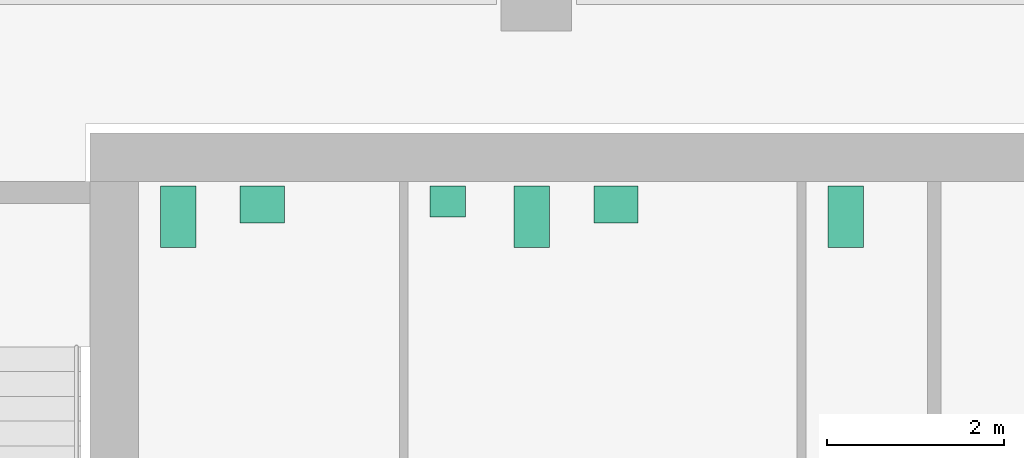
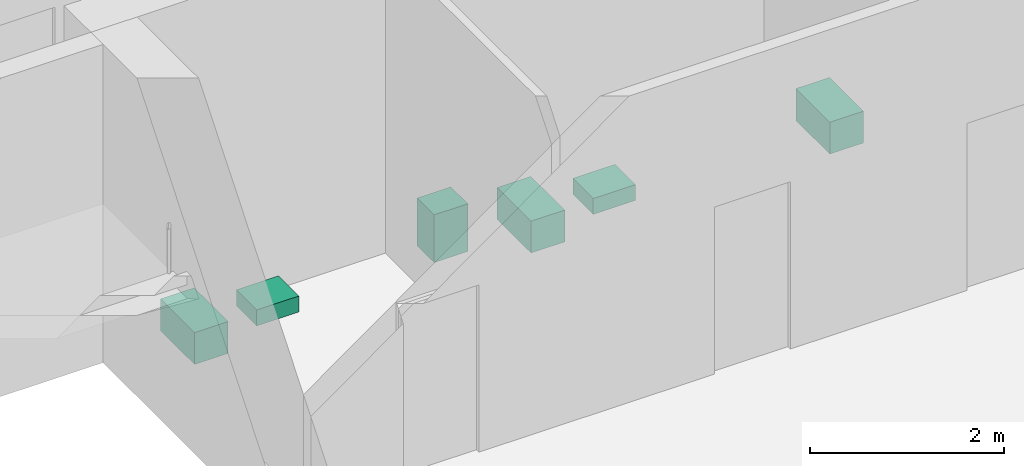
# One storey, part 8 of 8: 6 sanitary terminals.
"""IFC4 building model written with IfcOpenShell, lengths in metres."""

from ifc_helpers import new_model, si_unit, direction, frame, origin, origin_2d, place, context, subcontext, project, spatial, rectangle, extrude, material, type_object, element, save


model = new_model("IFC4")

# Units and contexts
model_context = context("Model", 3, precision=1e-05, world=origin(), true_north=direction((0.0, 1.0)))
body_context = subcontext(model_context, "Body", "Model", "MODEL_VIEW")
ifc_project = project(units=[si_unit("LENGTHUNIT", "METRE"), si_unit("AREAUNIT", "SQUARE_METRE"), si_unit("VOLUMEUNIT", "CUBIC_METRE"), si_unit("PLANEANGLEUNIT", "RADIAN"), si_unit("MASSUNIT", "GRAM", prefix="KILO")], contexts=[model_context])

# Site, building, storey
site_placement = place(None, origin())
site = spatial("IfcSite", under=ifc_project, at=site_placement, CompositionType="ELEMENT")
building_placement = place(site_placement, origin())
building = spatial("IfcBuilding", under=site, at=building_placement, Name="Cinnabar Reach Civic Tower", CompositionType="ELEMENT")
storey_placement = place(building_placement, frame((0.0, 0.0, 198.0)))
storey = spatial("IfcBuildingStorey", under=building, at=storey_placement, Name="L47", CompositionType="ELEMENT", Elevation=198.0)

# Sanitary terminals
ifc_material = material(Name="Vitreous china")
sanitary_terminal_type_1 = type_object("IfcSanitaryTerminalType", Name="T1 WC pan", PredefinedType="TOILETPAN", material=ifc_material)
for number, where, z_axis, x_axis, name in (
    (1, (4.95, 41.6, 0.0), (0.0, 0.0, 1.0), (1.0, 0.0, 0.0), "T1 WC pan 4708-1"),
    (2, (8.95, 41.6, 0.0), (0.0, 0.0, 1.0), (1.0, 0.0, 0.0), "T1 WC pan 4709-2"),
    (3, (12.5, 41.6, 0.0), (0.0, 0.0, 1.0), (1.0, 0.0, 0.0), "T1 WC pan 4710-1"),
):
    element("IfcSanitaryTerminal", number, at=place(storey_placement, frame(where, z_axis=z_axis, x_axis=x_axis)), inside=storey, type_object=sanitary_terminal_type_1, Name=name, PredefinedType="TOILETPAN", context=body_context, shape_type="SweptSolid", body=[
        extrude(rectangle(XDim=0.4, YDim=0.7, at=origin_2d()), origin(), (0.0, 0.0, 1.0), 0.4),
    ])
sanitary_terminal_type_2 = type_object("IfcSanitaryTerminalType", Name="T1 urinal", PredefinedType="URINAL", material=ifc_material)
sanitary_terminal_placement = place(storey_placement, frame((8.0, 41.775, 0.0), z_axis=(0.0, 0.0, 1.0), x_axis=(1.0, 0.0, 0.0)))
element("IfcSanitaryTerminal", 4, at=sanitary_terminal_placement, inside=storey, type_object=sanitary_terminal_type_2, Name="T1 urinal 4709-1", PredefinedType="URINAL", context=body_context, shape_type="SweptSolid", body=[
    extrude(rectangle(XDim=0.4, YDim=0.35, at=origin_2d()), origin(), (0.0, 0.0, 1.0), 0.6),
])
sanitary_terminal_type_3 = type_object("IfcSanitaryTerminalType", Name="T1 wash basin", PredefinedType="WASHHANDBASIN", material=ifc_material)
for number, where, z_axis, x_axis, name in (
    (5, (5.9, 41.74, 0.0), (0.0, 0.0, 1.0), (1.0, 0.0, 0.0), "T1 wash basin 4708-2"),
    (6, (9.9, 41.74, 0.0), (0.0, 0.0, 1.0), (1.0, 0.0, 0.0), "T1 wash basin 4709-3"),
):
    element("IfcSanitaryTerminal", number, at=place(storey_placement, frame(where, z_axis=z_axis, x_axis=x_axis)), inside=storey, type_object=sanitary_terminal_type_3, Name=name, PredefinedType="WASHHANDBASIN", context=body_context, shape_type="SweptSolid", body=[
        extrude(rectangle(XDim=0.5, YDim=0.42, at=origin_2d()), origin(), (0.0, 0.0, 1.0), 0.2),
    ])

save(model, "model.ifc")
